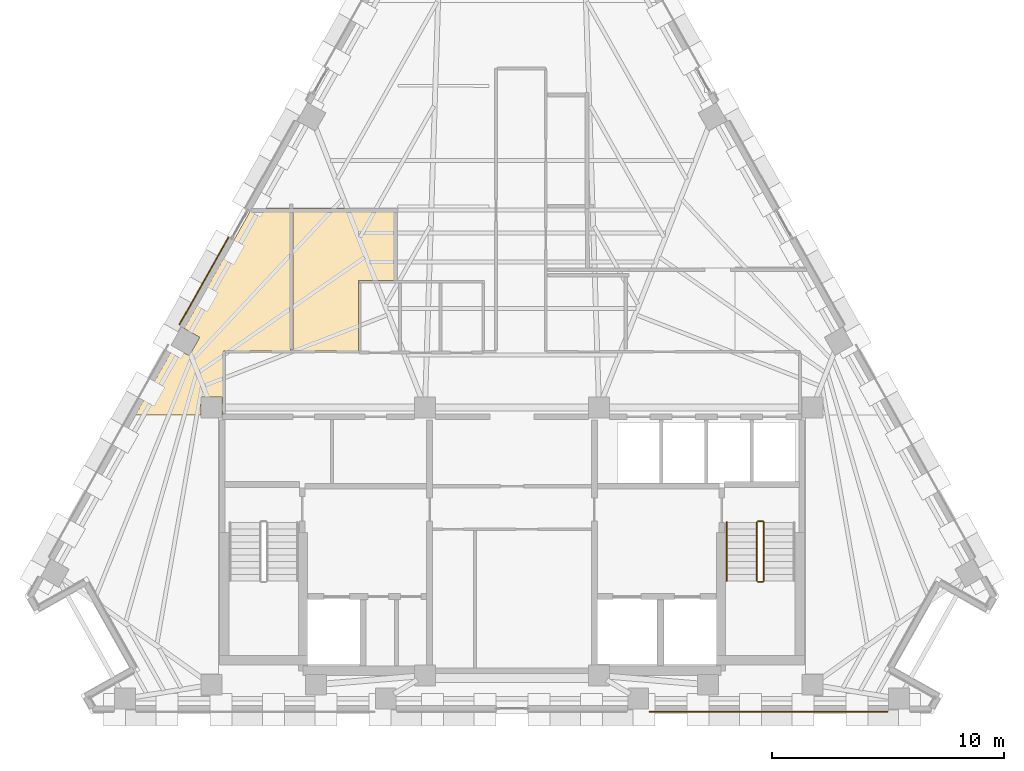
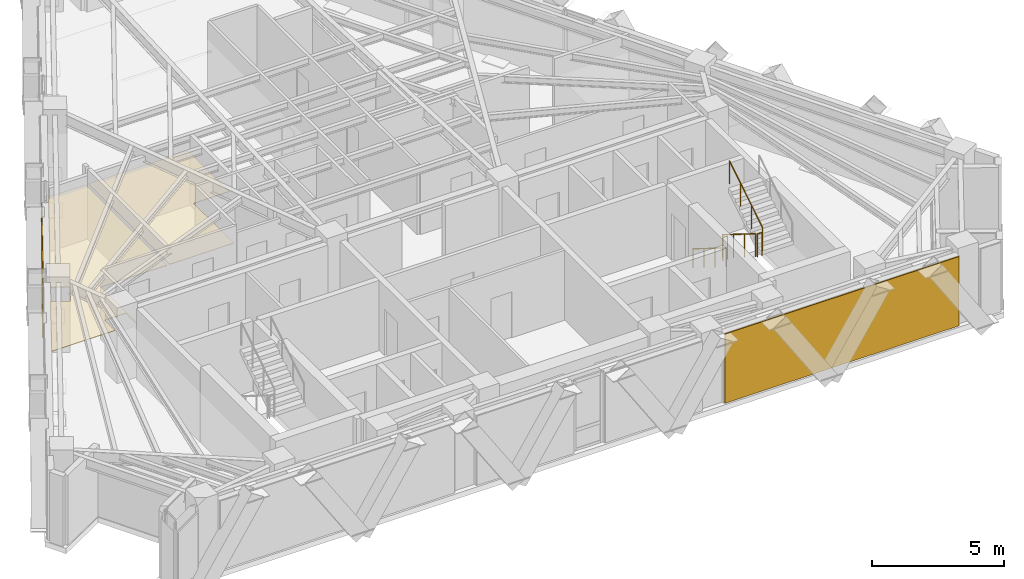
# One storey, part 11 of 12: 5 railings, 4 coverings.
"""IFC4 building model written with IfcOpenShell, lengths in metres."""

from ifc_helpers import new_model, si_unit, direction, frame, origin, origin_2d, place, context, subcontext, project, spatial, polyline, circle, outline, extrude, material, layer, layer_set, type_object, element, save


model = new_model("IFC4")

# Units and contexts
model_context = context("Model", 3, precision=1e-05, world=origin(), true_north=direction((0.0, 1.0)))
body_context = subcontext(model_context, "Body", "Model", "MODEL_VIEW")
ifc_project = project(units=[si_unit("LENGTHUNIT", "METRE"), si_unit("AREAUNIT", "SQUARE_METRE"), si_unit("VOLUMEUNIT", "CUBIC_METRE"), si_unit("PLANEANGLEUNIT", "RADIAN"), si_unit("MASSUNIT", "GRAM", prefix="KILO")], contexts=[model_context])

# Site, building, storey
site_placement = place(None, origin())
site = spatial("IfcSite", under=ifc_project, at=site_placement, CompositionType="ELEMENT")
building_placement = place(site_placement, origin())
building = spatial("IfcBuilding", under=site, at=building_placement, Name="Quenlor Broadcast Tower", CompositionType="ELEMENT")
storey_placement = place(building_placement, frame((0.0, 0.0, 221.89990234375)))
storey = spatial("IfcBuildingStorey", under=building, at=storey_placement, Name="L61", CompositionType="ELEMENT", Elevation=221.89990234375)

# Coverings
ifc_material_1 = material(Name="Acoustic Mineral Fibre Board", Category="other")
ifc_layer_1 = layer(ifc_material_1, 0.02490234375)
ifc_layer_set_1 = layer_set([ifc_layer_1], Name="Acoustic Perforated Mineral Tile Ceiling 25")
covering_type_1 = type_object("IfcCoveringType", Name="Acoustic Perforated Mineral Tile Ceiling 25", PredefinedType="CEILING", material=ifc_layer_set_1)
covering_1_placement = place(storey_placement, frame((0.0, 0.0, 2.375)))
element("IfcCovering", 1, at=covering_1_placement, inside=storey, type_object=covering_type_1, Name="L61 Acoustic Ceiling L61-27", PredefinedType="CEILING", context=body_context, shape_type="SweptSolid", body=[
    extrude(outline(polyline([(-6.6201171875, -2.3701171875), (-9.429931640625, -2.3701171875), (-9.429931640625, 3.7900390625), (-5.06005859375, 3.7900390625), (-5.06005859375, 0.669921875), (-6.6201171875, 0.669921875), (-6.6201171875, -2.3701171875)])), origin(), (0.0, 0.0, 1.0), 0.025146484375),
])
covering_2_placement = place(storey_placement, frame((0.0, 0.0, 2.375)))
element("IfcCovering", 2, at=covering_2_placement, inside=storey, type_object=covering_type_1, Name="L61 Acoustic Ceiling L61-30", PredefinedType="CEILING", context=body_context, shape_type="SweptSolid", body=[
    extrude(outline(polyline([(-14.572021484375, -2.199462890625), (-13.90283203125, -2.575927734375), (-13.45361328125, -1.777587890625), (-14.123046875, -1.401123046875), (-11.202880859375, 3.7900390625), (-9.550048828125, 3.7900390625), (-9.550048828125, -2.3701171875), (-12.43994140625, -2.3701171875), (-12.43994140625, -5.1201171875), (-12.491943359375, -5.1201171875), (-12.491943359375, -4.342041015625), (-13.407958984375, -4.342041015625), (-13.407958984375, -5.1201171875), (-16.21484375, -5.1201171875), (-14.572021484375, -2.199462890625)])), origin(), (0.0, 0.0, 1.0), 0.025146484375),
])
ifc_material_2 = material(Name="Architectural Terracotta Ceramic", Category="masonry")
ifc_layer_2 = layer(ifc_material_2, 0.044921875)
ifc_layer_set_2 = layer_set([ifc_layer_2], Name="Fluted Terracotta Rainscreen Cladding Panel")
covering_type_2 = type_object("IfcCoveringType", Name="Fluted Terracotta Rainscreen Cladding Panel", PredefinedType="CLADDING", material=ifc_layer_set_2)
covering_3_placement = place(storey_placement, frame((0.0, 0.0, 0.02001953125)))
element("IfcCovering", 3, at=covering_3_placement, inside=storey, type_object=covering_type_2, Name="L61 Terracotta Rainscreen Cladding L61-EW-SA", PredefinedType="CLADDING", context=body_context, shape_type="SweptSolid", body=[
    extrude(outline(polyline([(16.19091796875, -17.89697265625), (5.9228515625, -17.89697265625), (5.9228515625, -17.94189453125), (16.19091796875, -17.94189453125), (16.19091796875, -17.89697265625)])), origin(), (0.0, 0.0, 1.0), 3.2099609375),
])
covering_4_placement = place(storey_placement, frame((0.0, 0.0, 0.02001953125)))
element("IfcCovering", 4, at=covering_4_placement, inside=storey, type_object=covering_type_2, Name="L61 Terracotta Rainscreen Cladding L61-NW-SP1", PredefinedType="CLADDING", context=body_context, shape_type="SweptSolid", body=[
    extrude(outline(polyline([(-14.30908203125, -1.248291015625), (-12.187255859375, 2.523681640625), (-12.2265625, 2.5458984375), (-14.34814453125, -1.226318359375), (-14.30908203125, -1.248291015625)])), origin(), (0.0, 0.0, 1.0), 3.2099609375),
])

# Railings
ifc_material_3 = material(Name="Anodised Aluminium", Category="aluminium")
railing_type_1 = type_object("IfcRailingType", Name="Stainless Aluminium Wall Handrail 900", PredefinedType="HANDRAIL", material=ifc_material_3)
railing_1_placement = place(storey_placement, frame((9.25, -9.75, 0.175048828125)))
element("IfcRailing", 5, at=railing_1_placement, inside=storey, type_object=railing_type_1, Name="L61 ST-2 stair handrail 1", PredefinedType="HANDRAIL", context=body_context, shape_type="SweptSolid", body=[
    extrude(circle(Radius=0.02392578125, at=origin_2d()), frame((0.0, 0.0, 0.8759765625), z_axis=(0.0, -0.848007534815, 0.529984170421), x_axis=(1.0, 0.0, 0.0)), (0.0, 0.0, 1.0), 2.9716796875),
    extrude(circle(Radius=0.02099609375, at=origin_2d()), origin(), (0.0, 0.0, 1.0), 0.851806640625),
    extrude(circle(Radius=0.02099609375, at=origin_2d()), frame((0.0, -0.840087890625, 0.52490234375)), (0.0, 0.0, 1.0), 0.851806640625),
    extrude(circle(Radius=0.02099609375, at=origin_2d()), frame((0.0, -1.679931640625, 1.050048828125)), (0.0, 0.0, 1.0), 0.851806640625),
    extrude(circle(Radius=0.02099609375, at=origin_2d()), frame((0.0, -2.52001953125, 1.574951171875)), (0.0, 0.0, 1.0), 0.851806640625),
])
ifc_material_4 = material(Name="Steel S355", Category="steel")
railing_type_2 = type_object("IfcRailingType", Name="Tubular Steel S355 Stair Guardrail 1100", PredefinedType="BALUSTRADE", material=ifc_material_4)
railing_2_placement = place(storey_placement, frame((10.550048828125, -9.75, 0.175048828125)))
element("IfcRailing", 6, at=railing_2_placement, inside=storey, type_object=railing_type_2, Name="L61 ST-2 stair guard 1", PredefinedType="BALUSTRADE", context=body_context, shape_type="SweptSolid", body=[
    extrude(circle(Radius=0.02392578125, at=origin_2d()), frame((0.0, 0.0, 1.076171875), z_axis=(0.0, -0.848007534815, 0.529984170421), x_axis=(1.0, 0.0, 0.0)), (0.0, 0.0, 1.0), 2.9716796875),
    extrude(circle(Radius=0.02099609375, at=origin_2d()), origin(), (0.0, 0.0, 1.0), 1.052001953125),
    extrude(circle(Radius=0.02099609375, at=origin_2d()), frame((0.0, -0.840087890625, 0.52490234375)), (0.0, 0.0, 1.0), 1.052001953125),
    extrude(circle(Radius=0.02099609375, at=origin_2d()), frame((0.0, -1.679931640625, 1.050048828125)), (0.0, 0.0, 1.0), 1.052001953125),
    extrude(circle(Radius=0.02099609375, at=origin_2d()), frame((0.0, -2.52001953125, 1.574951171875)), (0.0, 0.0, 1.0), 1.052001953125),
])
railing_3_placement = place(storey_placement, frame((10.60009765625, -12.320068359375, 1.75)))
element("IfcRailing", 7, at=railing_3_placement, inside=storey, type_object=railing_type_2, Name="L61 ST-2 stair guard 2", PredefinedType="BALUSTRADE", context=body_context, shape_type="SweptSolid", body=[
    extrude(circle(Radius=0.02392578125, at=origin_2d()), frame((0.0, 0.0, 1.076171875), z_axis=(1.0, 0.0, 0.0), x_axis=(0.0, 1.0, 0.0)), (0.0, 0.0, 1.0), 0.199951171875),
    extrude(circle(Radius=0.02099609375, at=origin_2d()), origin(), (0.0, 0.0, 1.0), 1.052001953125),
    extrude(circle(Radius=0.02099609375, at=origin_2d()), frame((0.199951171875, 0.0, 0.0)), (0.0, 0.0, 1.0), 1.052001953125),
])
railing_4_placement = place(storey_placement, frame((10.85009765625, -12.27001953125, 1.925048828125)))
element("IfcRailing", 8, at=railing_4_placement, inside=storey, type_object=railing_type_2, Name="L61 ST-2 stair guard 3", PredefinedType="BALUSTRADE", context=body_context, shape_type="SweptSolid", body=[
    extrude(circle(Radius=0.02392578125, at=origin_2d()), frame((0.0, 0.0, 1.076171875), z_axis=(0.0, 0.848007534815, 0.529984170421), x_axis=(-1.0, 0.0, 0.0)), (0.0, 0.0, 1.0), 2.9716796875),
    extrude(circle(Radius=0.02099609375, at=origin_2d()), origin(), (0.0, 0.0, 1.0), 1.052001953125),
    extrude(circle(Radius=0.02099609375, at=origin_2d()), frame((0.0, 0.840087890625, 0.52490234375)), (0.0, 0.0, 1.0), 1.052001953125),
    extrude(circle(Radius=0.02099609375, at=origin_2d()), frame((0.0, 1.679931640625, 1.050048828125)), (0.0, 0.0, 1.0), 1.052001953125),
    extrude(circle(Radius=0.02099609375, at=origin_2d()), frame((0.0, 2.52001953125, 1.574951171875)), (0.0, 0.0, 1.0), 1.052001953125),
])
railing_5_placement = place(storey_placement, frame((10.60009765625, -9.699951171875, 0.0)))
element("IfcRailing", 9, at=railing_5_placement, inside=storey, type_object=railing_type_2, Name="L61 ST-2 stair guard 4", PredefinedType="BALUSTRADE", context=body_context, shape_type="SweptSolid", body=[
    extrude(circle(Radius=0.02392578125, at=origin_2d()), frame((0.0, 0.0, 1.076171875), z_axis=(1.0, 0.0, 0.0), x_axis=(0.0, 1.0, 0.0)), (0.0, 0.0, 1.0), 0.199951171875),
    extrude(circle(Radius=0.02099609375, at=origin_2d()), origin(), (0.0, 0.0, 1.0), 1.052001953125),
    extrude(circle(Radius=0.02099609375, at=origin_2d()), frame((0.199951171875, 0.0, 0.0)), (0.0, 0.0, 1.0), 1.052001953125),
])

save(model, "model.ifc")
